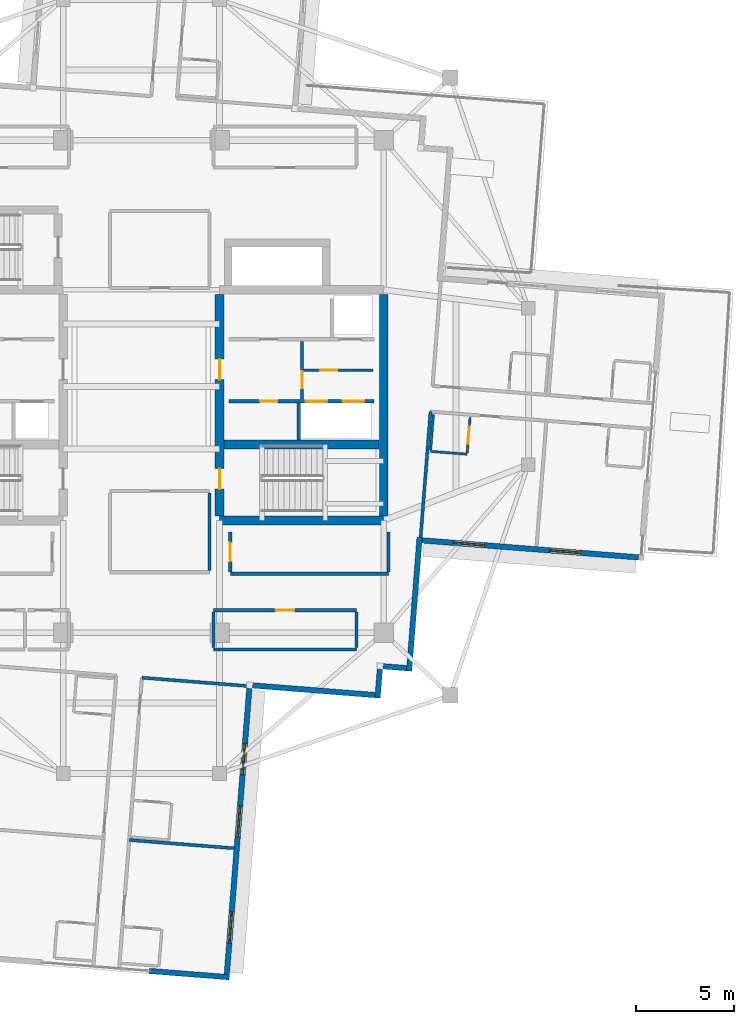
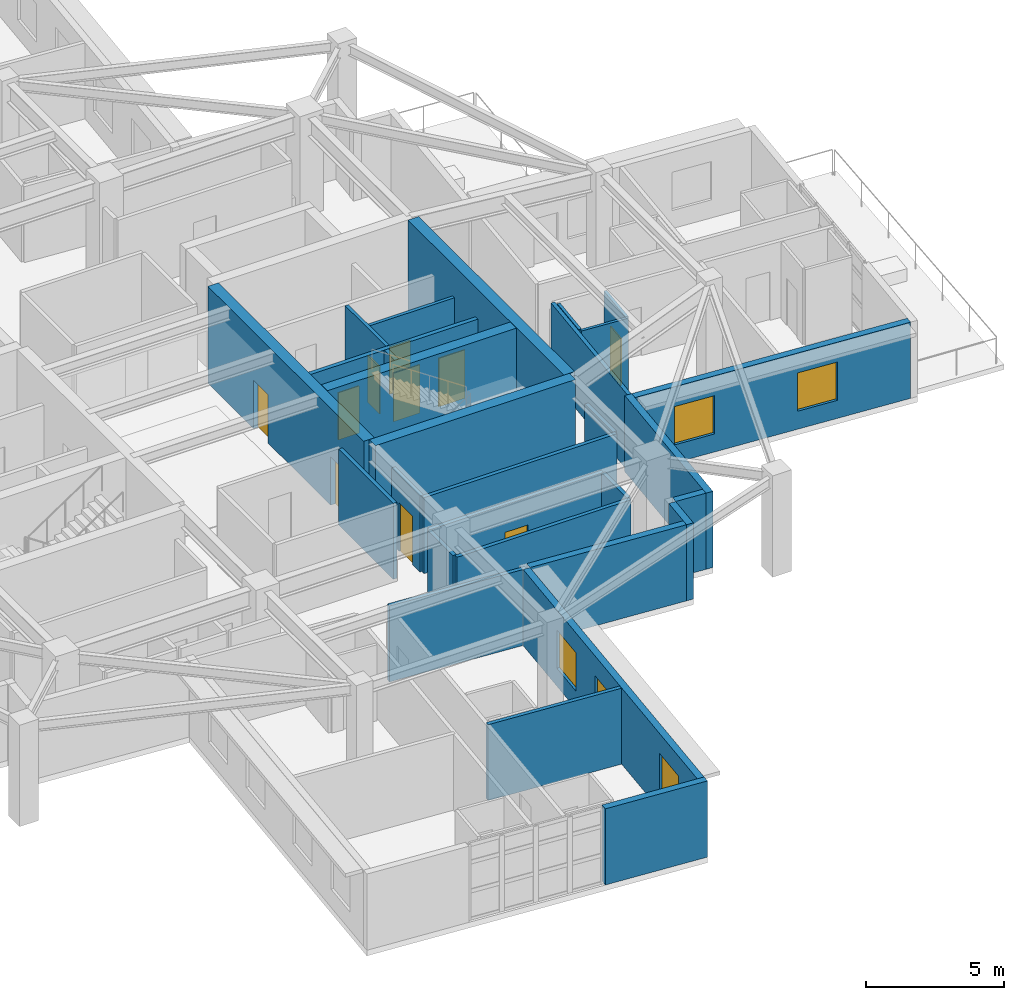
# One storey, part 15 of 23: 29 walls, 10 doors, 5 windows, 15 openings.
"""IFC4 building model written with IfcOpenShell, lengths in metres."""

from ifc_helpers import new_model, si_unit, direction, frame, frame_2d, origin, place, context, subcontext, project, spatial, rectangle, extrude, material, layer, layer_set, type_object, element, fill, save


model = new_model("IFC4")

# Units and contexts
model_context = context("Model", 3, precision=1e-05, world=origin(), true_north=direction((0.0, 1.0)))
body_context = subcontext(model_context, "Body", "Model", "MODEL_VIEW")
ifc_project = project(units=[si_unit("LENGTHUNIT", "METRE"), si_unit("AREAUNIT", "SQUARE_METRE"), si_unit("VOLUMEUNIT", "CUBIC_METRE"), si_unit("PLANEANGLEUNIT", "RADIAN"), si_unit("MASSUNIT", "GRAM", prefix="KILO")], contexts=[model_context])

# Site, building, storey
site_placement = place(None, origin())
site = spatial("IfcSite", under=ifc_project, at=site_placement, CompositionType="ELEMENT")
building_placement = place(site_placement, origin())
building = spatial("IfcBuilding", under=site, at=building_placement, Name="Qingluan Cross Belvedere", CompositionType="ELEMENT")
storey_placement = place(building_placement, frame((0.0, 0.0, 245.39990234375)))
storey = spatial("IfcBuildingStorey", under=building, at=storey_placement, Name="L61", CompositionType="ELEMENT", Elevation=245.39990234375)

# Wall
ifc_material_1 = material(Name="Concrete C50", Category="concrete")
ifc_layer_1 = layer(ifc_material_1, 0.449951171875, Name="CoreShearWall_450")
ifc_layer_set_1 = layer_set([ifc_layer_1], Name="Concrete C50")
wall_type_1 = type_object("IfcWallType", Name="CoreShearWall_450", PredefinedType="SHEAR", material=ifc_layer_set_1)
wall_1_placement = place(storey_placement, frame((4.0, -6.85009765625, 0.0), z_axis=(0.0, 0.0, 1.0), x_axis=(1.0, 0.0, 0.0)))
element("IfcWall", 1, at=wall_1_placement, inside=storey, type_object=wall_type_1, Name="Split core E shear wall L61-S", PredefinedType="SHEAR", context=body_context, shape_type="SweptSolid", body=[
    extrude(rectangle(XDim=8.39990234375, YDim=0.449951171875, at=frame_2d((4.199951171875, 0.0))), origin(), (0.0, 0.0, 1.0), 4.300048828125),
])

# Wall, openings, doors
wall_2_placement = place(storey_placement, frame((4.0, -6.6201171875, 0.0), z_axis=(0.0, 0.0, 1.0), x_axis=(0.0, 1.0, 0.0)))
wall_2 = element("IfcWall", 2, at=wall_2_placement, inside=storey, type_object=wall_type_1, Name="Split core E shear wall L61-W", PredefinedType="SHEAR", context=body_context, shape_type="SweptSolid", body=[
    extrude(rectangle(XDim=11.340087890625, YDim=0.449951171875, at=frame_2d((5.669921875, 0.0))), origin(), (0.0, 0.0, 1.0), 4.300048828125),
])
opening_1_placement = place(wall_2_placement, frame((1.3701171875, 0.0, 0.0)))
opening_1 = element("IfcOpeningElement", 3, at=opening_1_placement, cuts=wall_2, Name="Opening FD-B11", PredefinedType="OPENING", context=body_context, shape_type="SweptSolid", body=[
    extrude(rectangle(XDim=1.050048828125, YDim=2.14990234375, at=frame_2d((0.52490234375, 1.074951171875))), frame((0.0, 0.23486328125, 0.0), z_axis=(0.0, -1.0, 0.0), x_axis=(1.0, 0.0, 0.0)), (0.0, 0.0, 1.0), 0.469970703125),
])
opening_2_placement = place(wall_2_placement, frame((6.969970703125, 0.0, 0.0)))
opening_2 = element("IfcOpeningElement", 4, at=opening_2_placement, cuts=wall_2, Name="Opening FD-B11", PredefinedType="OPENING", context=body_context, shape_type="SweptSolid", body=[
    extrude(rectangle(XDim=1.050048828125, YDim=2.14990234375, at=frame_2d((0.52490234375, 1.074951171875))), frame((0.0, 0.23486328125, 0.0), z_axis=(0.0, -1.0, 0.0), x_axis=(1.0, 0.0, 0.0)), (0.0, 0.0, 1.0), 0.469970703125),
])
ifc_material_2 = material(Name="Steel Class B smoke-seal fire door", Category="steel")
door_type_1 = type_object("IfcDoorType", Name="StairLobbyFireDoor_FDB", OperationType="NOTDEFINED", PredefinedType="DOOR", material=ifc_material_2)
door_1_placement = place(opening_1_placement, origin())
door_1 = element("IfcDoor", 5, at=door_1_placement, inside=storey, type_object=door_type_1, Name="Smoke-proof stair ST2 fire door L61", OperationType="SINGLE_SWING_RIGHT", OverallHeight=2.14990234375, OverallWidth=1.050048828125, PredefinedType="DOOR", context=body_context, shape_type="SweptSolid", body=[
    extrude(rectangle(XDim=1.050048828125, YDim=2.14990234375, at=frame_2d((0.52490234375, 1.074951171875))), frame((0.0, 0.02490234375, 0.0), z_axis=(0.0, -1.0, 0.0), x_axis=(1.0, 0.0, 0.0)), (0.0, 0.0, 1.0), 0.050048828125),
])
fill(opening_1, door_1)
door_2_placement = place(opening_2_placement, origin())
door_2 = element("IfcDoor", 6, at=door_2_placement, inside=storey, type_object=door_type_1, Name="Firefighting lobby East fire door L61", OperationType="SINGLE_SWING_RIGHT", OverallHeight=2.14990234375, OverallWidth=1.050048828125, PredefinedType="DOOR", context=body_context, shape_type="SweptSolid", body=[
    extrude(rectangle(XDim=1.050048828125, YDim=2.14990234375, at=frame_2d((0.52490234375, 1.074951171875))), frame((0.0, 0.02490234375, 0.0), z_axis=(0.0, -1.0, 0.0), x_axis=(1.0, 0.0, 0.0)), (0.0, 0.0, 1.0), 0.050048828125),
])
fill(opening_2, door_2)

# Walls
wall_3_placement = place(storey_placement, frame((12.39990234375, -6.6201171875, 0.0), z_axis=(0.0, 0.0, 1.0), x_axis=(0.0, 1.0, 0.0)))
element("IfcWall", 7, at=wall_3_placement, inside=storey, type_object=wall_type_1, Name="Split core E shear wall L61-E", PredefinedType="SHEAR", context=body_context, shape_type="SweptSolid", body=[
    extrude(rectangle(XDim=11.340087890625, YDim=0.449951171875, at=frame_2d((5.669921875, 0.0))), origin(), (0.0, 0.0, 1.0), 4.300048828125),
])
wall_4_placement = place(storey_placement, frame((4.22998046875, -2.9599609375, 0.0), z_axis=(0.0, 0.0, 1.0), x_axis=(1.0, 0.0, 0.0)))
element("IfcWall", 8, at=wall_4_placement, inside=storey, type_object=wall_type_1, Name="Split core E shear wall L61-M", PredefinedType="SHEAR", context=body_context, shape_type="SweptSolid", body=[
    extrude(rectangle(XDim=7.93994140625, YDim=0.449951171875, at=frame_2d((3.969970703125, 0.0))), origin(), (0.0, 0.0, 1.0), 4.300048828125),
])

# Wall, opening, door
ifc_material_3 = material(Name="Gypsum plasterboard on steel stud acoustic partition", Category="steel")
ifc_layer_2 = layer(ifc_material_3, 0.159912109375, Name="CorridorPartition_160")
ifc_layer_set_2 = layer_set([ifc_layer_2], Name="Gypsum plasterboard on steel stud acoustic partition")
wall_type_2 = type_object("IfcWallType", Name="CorridorPartition_160", PredefinedType="PARTITIONING", material=ifc_layer_set_2)
wall_5_placement = place(storey_placement, frame((8.298095703125, 0.830078125, 0.0), z_axis=(0.0, 0.0, 1.0), x_axis=(1.0, 0.0, 0.0)))
wall_5 = element("IfcWall", 9, at=wall_5_placement, inside=storey, type_object=wall_type_2, Name="Partition L61:e", PredefinedType="PARTITIONING", context=body_context, shape_type="SweptSolid", body=[
    extrude(rectangle(XDim=3.552001953125, YDim=0.139892578125, at=frame_2d((1.77587890625, 0.0))), origin(), (0.0, 0.0, 1.0), 3.3701171875),
])
opening_3_placement = place(wall_5_placement, frame((0.85009765625, 0.0, 0.0)))
opening_3 = element("IfcOpeningElement", 10, at=opening_3_placement, cuts=wall_5, Name="Opening FD-B10", PredefinedType="OPENING", context=body_context, shape_type="SweptSolid", body=[
    extrude(rectangle(XDim=0.8798828125, YDim=2.10009765625, at=frame_2d((0.43994140625, 1.050048828125))), frame((0.0, 0.079833984375, 0.0), z_axis=(0.0, -1.0, 0.0), x_axis=(1.0, 0.0, 0.0)), (0.0, 0.0, 1.0), 0.159912109375),
])
ifc_material_4 = material(Name="Steel Class B service fire door", Category="steel")
door_type_2 = type_object("IfcDoorType", Name="RiserServiceFireDoor_FDB", OperationType="NOTDEFINED", PredefinedType="DOOR", material=ifc_material_4)
door_3_placement = place(opening_3_placement, origin())
door_3 = element("IfcDoor", 11, at=door_3_placement, inside=storey, type_object=door_type_2, Name="Service closet inner door L61", OperationType="SINGLE_SWING_LEFT", OverallHeight=2.10009765625, OverallWidth=0.8798828125, PredefinedType="DOOR", context=body_context, shape_type="SweptSolid", body=[
    extrude(rectangle(XDim=0.8798828125, YDim=2.10009765625, at=frame_2d((0.43994140625, 1.050048828125))), frame((0.0, 0.02490234375, 0.0), z_axis=(0.0, -1.0, 0.0), x_axis=(1.0, 0.0, 0.0)), (0.0, 0.0, 1.0), 0.050048828125),
])
fill(opening_3, door_3)

# Wall
wall_6_placement = place(storey_placement, frame((3.699951171875, -13.449951171875, 0.0), z_axis=(0.0, 0.0, 1.0), x_axis=(1.0, 0.0, 0.0)))
element("IfcWall", 12, at=wall_6_placement, inside=storey, type_object=wall_type_2, Name="Partition L61:q_se:S", PredefinedType="PARTITIONING", context=body_context, shape_type="SweptSolid", body=[
    extrude(rectangle(XDim=7.300048828125, YDim=0.159912109375, at=frame_2d((3.64990234375, 0.0))), origin(), (0.0, 0.0, 1.0), 3.3701171875),
])

# Wall, opening, door
wall_7_placement = place(storey_placement, frame((3.699951171875, -11.449951171875, 0.0), z_axis=(0.0, 0.0, 1.0), x_axis=(1.0, 0.0, 0.0)))
wall_7 = element("IfcWall", 13, at=wall_7_placement, inside=storey, type_object=wall_type_2, Name="Partition L61:q_se:N", PredefinedType="PARTITIONING", context=body_context, shape_type="SweptSolid", body=[
    extrude(rectangle(XDim=7.300048828125, YDim=0.159912109375, at=frame_2d((3.64990234375, 0.0))), origin(), (0.0, 0.0, 1.0), 3.3701171875),
])
opening_4_placement = place(wall_7_placement, frame((3.169921875, 0.0, 0.0)))
opening_4 = element("IfcOpeningElement", 14, at=opening_4_placement, cuts=wall_7, Name="Opening GD-10", PredefinedType="OPENING", context=body_context, shape_type="SweptSolid", body=[
    extrude(rectangle(XDim=0.9599609375, YDim=2.14990234375, at=frame_2d((0.47998046875, 1.074951171875))), frame((0.0, 0.08984375, 0.0), z_axis=(0.0, -1.0, 0.0), x_axis=(1.0, 0.0, 0.0)), (0.0, 0.0, 1.0), 0.179931640625),
])
ifc_material_5 = material(Name="Timber oak fire-rated acoustic guestroom door", Category="wood")
door_type_3 = type_object("IfcDoorType", Name="GuestEntryDoor_FD60", OperationType="NOTDEFINED", PredefinedType="DOOR", material=ifc_material_5)
door_4_placement = place(opening_4_placement, origin())
door_4 = element("IfcDoor", 15, at=door_4_placement, inside=storey, type_object=door_type_3, Name="Sky conservatory lounge L61 door", OperationType="SINGLE_SWING_RIGHT", OverallHeight=2.14990234375, OverallWidth=0.9599609375, PredefinedType="DOOR", context=body_context, shape_type="SweptSolid", body=[
    extrude(rectangle(XDim=0.9599609375, YDim=2.14990234375, at=frame_2d((0.47998046875, 1.074951171875))), frame((0.0, 0.02490234375, 0.0), z_axis=(0.0, -1.0, 0.0), x_axis=(1.0, 0.0, 0.0)), (0.0, 0.0, 1.0), 0.050048828125),
])
fill(opening_4, door_4)

# Walls
for number, where, z_axis, x_axis, name in (
    (16, (3.699951171875, -13.364990234375, 0.0), (0.0, 0.0, 1.0), (0.0, 1.0, 0.0), "Partition L61:q_se:W"),
    (17, (11.0, -13.364990234375, 0.0), (0.0, 0.0, 1.0), (0.0, 1.0, 0.0), "Partition L61:q_se:E"),
):
    element("IfcWall", number, at=place(storey_placement, frame(where, z_axis=z_axis, x_axis=x_axis)), inside=storey, type_object=wall_type_2, Name=name, PredefinedType="PARTITIONING", context=body_context, shape_type="SweptSolid", body=[
        extrude(rectangle(XDim=1.830078125, YDim=0.159912109375, at=frame_2d((0.9150390625, 0.0))), origin(), (0.0, 0.0, 1.0), 3.3701171875),
    ])
wall_8_placement = place(storey_placement, frame((3.47998046875, -9.4150390625, 0.0), z_axis=(0.0, 0.0, 1.0), x_axis=(0.0, 1.0, 0.0)))
element("IfcWall", 18, at=wall_8_placement, inside=storey, type_object=wall_type_2, Name="Partition L61:sky_south_alcove:E", PredefinedType="PARTITIONING", context=body_context, shape_type="SweptSolid", body=[
    extrude(rectangle(XDim=3.97998046875, YDim=0.159912109375, at=frame_2d((1.989990234375, 0.0))), origin(), (0.0, 0.0, 1.0), 3.3701171875),
])
wall_9_placement = place(storey_placement, frame((4.550048828125, -9.580078125, 0.0), z_axis=(0.0, 0.0, 1.0), x_axis=(1.0, 0.0, 0.0)))
element("IfcWall", 19, at=wall_9_placement, inside=storey, type_object=wall_type_2, Name="Partition L61:rec_st4:S", PredefinedType="PARTITIONING", context=body_context, shape_type="SweptSolid", body=[
    extrude(rectangle(XDim=8.099853515625, YDim=0.159912109375, at=frame_2d((4.0498046875, 0.0))), origin(), (0.0, 0.0, 1.0), 3.3701171875),
])

# Wall, opening, door
wall_10_placement = place(storey_placement, frame((4.550048828125, -9.4951171875, 0.0), z_axis=(0.0, 0.0, 1.0), x_axis=(0.0, 1.0, 0.0)))
wall_10 = element("IfcWall", 20, at=wall_10_placement, inside=storey, type_object=wall_type_2, Name="Partition L61:rec_st4:W", PredefinedType="PARTITIONING", context=body_context, shape_type="SweptSolid", body=[
    extrude(rectangle(XDim=2.06005859375, YDim=0.159912109375, at=frame_2d((1.030029296875, 0.0))), origin(), (0.0, 0.0, 1.0), 3.3701171875),
])
opening_5_placement = place(wall_10_placement, frame((0.550048828125, 0.0, 0.0)))
opening_5 = element("IfcOpeningElement", 21, at=opening_5_placement, cuts=wall_10, Name="Opening GD-10", PredefinedType="OPENING", context=body_context, shape_type="SweptSolid", body=[
    extrude(rectangle(XDim=0.9599609375, YDim=2.14990234375, at=frame_2d((0.47998046875, 1.074951171875))), frame((0.0, 0.08984375, 0.0), z_axis=(0.0, -1.0, 0.0), x_axis=(1.0, 0.0, 0.0)), (0.0, 0.0, 1.0), 0.179931640625),
])
door_5_placement = place(opening_5_placement, origin())
door_5 = element("IfcDoor", 22, at=door_5_placement, inside=storey, type_object=door_type_3, Name="Southeast club library room L61 door", OperationType="SINGLE_SWING_RIGHT", OverallHeight=2.14990234375, OverallWidth=0.9599609375, PredefinedType="DOOR", context=body_context, shape_type="SweptSolid", body=[
    extrude(rectangle(XDim=0.9599609375, YDim=2.14990234375, at=frame_2d((0.47998046875, 1.074951171875))), frame((0.0, 0.02490234375, 0.0), z_axis=(0.0, -1.0, 0.0), x_axis=(1.0, 0.0, 0.0)), (0.0, 0.0, 1.0), 0.050048828125),
])
fill(opening_5, door_5)

# Walls
wall_11_placement = place(storey_placement, frame((12.64990234375, -9.4951171875, 0.0), z_axis=(0.0, 0.0, 1.0), x_axis=(0.0, 1.0, 0.0)))
element("IfcWall", 23, at=wall_11_placement, inside=storey, type_object=wall_type_2, Name="Partition L61:rec_st4:E", PredefinedType="PARTITIONING", context=body_context, shape_type="SweptSolid", body=[
    extrude(rectangle(XDim=2.06005859375, YDim=0.159912109375, at=frame_2d((1.030029296875, 0.0))), origin(), (0.0, 0.0, 1.0), 3.3701171875),
])
wall_12_placement = place(storey_placement, frame((14.794921875, -1.28466796875, 0.0), z_axis=(0.0, 0.0, 1.0), x_axis=(-0.078478832769, -0.996915780198, 0.0)))
element("IfcWall", 24, at=wall_12_placement, inside=storey, type_object=wall_type_2, Name="Partition L61:E:s1", PredefinedType="PARTITIONING", context=body_context, shape_type="SweptSolid", body=[
    extrude(rectangle(XDim=6.4521484375, YDim=0.159912109375, at=frame_2d((3.22607421875, 0.0))), origin(), (0.0, 0.0, 1.0), 3.3701171875),
])
wall_13_placement = place(storey_placement, frame((0.03125, -14.8984375, 0.0), z_axis=(0.0, 0.0, 1.0), x_axis=(0.996917113956, -0.078461888206, 0.0)))
element("IfcWall", 25, at=wall_13_placement, inside=storey, type_object=wall_type_2, Name="Partition L61:S:s0", PredefinedType="PARTITIONING", context=body_context, shape_type="SweptSolid", body=[
    extrude(rectangle(XDim=5.52001953125, YDim=0.159912109375, at=frame_2d((2.760009765625, 0.0))), origin(), (0.0, 0.0, 1.0), 3.3701171875),
])
wall_14_placement = place(storey_placement, frame((-0.62255859375, -23.20361328125, 0.0), z_axis=(0.0, 0.0, 1.0), x_axis=(0.996915202822, -0.078486166816, 0.0)))
element("IfcWall", 26, at=wall_14_placement, inside=storey, type_object=wall_type_2, Name="Partition L61:S:d0_0", PredefinedType="PARTITIONING", context=body_context, shape_type="SweptSolid", body=[
    extrude(rectangle(XDim=5.3720703125, YDim=0.159912109375, at=frame_2d((2.68603515625, 0.0))), origin(), (0.0, 0.0, 1.0), 3.3701171875),
])

# Wall, opening, door
ifc_material_6 = material(Name="Moisture-resistant gypsum board lining")
ifc_layer_3 = layer(ifc_material_6, 0.1201171875, Name="EnsuiteWetPartition_120")
ifc_layer_set_3 = layer_set([ifc_layer_3], Name="Moisture-resistant gypsum board lining")
wall_type_3 = type_object("IfcWallType", Name="EnsuiteWetPartition_120", PredefinedType="PARTITIONING", material=ifc_layer_set_3)
wall_15_placement = place(storey_placement, frame((16.6748046875, -3.398681640625, 0.0), z_axis=(0.0, 0.0, 1.0), x_axis=(0.078348112001, 0.996926062126, 0.0)))
wall_15 = element("IfcWall", 27, at=wall_15_placement, inside=storey, type_object=wall_type_3, Name="Partition L61:E:bs1_0", PredefinedType="PARTITIONING", context=body_context, shape_type="SweptSolid", body=[
    extrude(rectangle(XDim=1.81982421875, YDim=0.1201171875, at=frame_2d((0.909912109375, 0.0))), origin(), (0.0, 0.0, 1.0), 3.3701171875),
])
opening_6_placement = place(wall_15_placement, frame((0.469970703125, 0.0, 0.0)))
opening_6 = element("IfcOpeningElement", 28, at=opening_6_placement, cuts=wall_15, Name="Opening BD-09", PredefinedType="OPENING", context=body_context, shape_type="SweptSolid", body=[
    extrude(rectangle(XDim=0.8798828125, YDim=2.10009765625, at=frame_2d((0.43994140625, 1.050048828125))), frame((0.0, 0.070068359375, 0.0), z_axis=(0.0, -1.0, 0.0), x_axis=(1.0, 0.0, 0.0)), (0.0, 0.0, 1.0), 0.14013671875),
])
ifc_material_7 = material(Name="Moisture-sealed timber en-suite door", Category="wood")
door_type_4 = type_object("IfcDoorType", Name="BathroomDoor_880", OperationType="NOTDEFINED", PredefinedType="DOOR", material=ifc_material_7)
door_6_placement = place(opening_6_placement, origin())
door_6 = element("IfcDoor", 29, at=door_6_placement, inside=storey, type_object=door_type_4, Name="Bathroom door 6103", OperationType="SINGLE_SWING_LEFT", OverallHeight=2.10009765625, OverallWidth=0.8798828125, PredefinedType="DOOR", context=body_context, shape_type="SweptSolid", body=[
    extrude(rectangle(XDim=0.8798828125, YDim=2.10009765625, at=frame_2d((0.43994140625, 1.050048828125))), frame((0.0, 0.02490234375, 0.0), z_axis=(0.0, -1.0, 0.0), x_axis=(1.0, 0.0, 0.0)), (0.0, 0.0, 1.0), 0.050048828125),
])
fill(opening_6, door_6)

# Walls
wall_16_placement = place(storey_placement, frame((14.800537109375, -3.251220703125, 0.0), z_axis=(0.0, 0.0, 1.0), x_axis=(0.078481444107, 0.996915574626, 0.0)))
element("IfcWall", 30, at=wall_16_placement, inside=storey, type_object=wall_type_3, Name="Partition L61:E:bw1_0", PredefinedType="PARTITIONING", context=body_context, shape_type="SweptSolid", body=[
    extrude(rectangle(XDim=1.81982421875, YDim=0.1201171875, at=frame_2d((0.909912109375, 0.0))), origin(), (0.0, 0.0, 1.0), 3.3701171875),
])
wall_17_placement = place(storey_placement, frame((14.79541015625, -3.316162109375, 0.0), z_axis=(0.0, 0.0, 1.0), x_axis=(0.996919293781, -0.07843418698, 0.0)))
element("IfcWall", 31, at=wall_17_placement, inside=storey, type_object=wall_type_3, Name="Partition L61:E:bc1_0", PredefinedType="PARTITIONING", context=body_context, shape_type="SweptSolid", body=[
    extrude(rectangle(XDim=1.880126953125, YDim=0.1201171875, at=frame_2d((0.93994140625, 0.0))), origin(), (0.0, 0.0, 1.0), 3.3701171875),
])

# Wall, openings, windows
ifc_material_8 = material(Name="Precast concrete C45", Category="concrete")
ifc_layer_4 = layer(ifc_material_8, 0.280029296875, Name="PrecastFacadeWall_280")
ifc_layer_set_4 = layer_set([ifc_layer_4], Name="Precast concrete C45")
wall_type_4 = type_object("IfcWallType", Name="PrecastFacadeWall_280", PredefinedType="STANDARD", material=ifc_layer_set_4)
wall_18_placement = place(storey_placement, frame((14.36669921875, -7.87158203125, 0.0), z_axis=(0.0, 0.0, 1.0), x_axis=(0.996917735529, -0.078453990262, 0.0)))
wall_18 = element("IfcWall", 32, at=wall_18_placement, inside=storey, type_object=wall_type_4, Name="Facade wall L61-EA", PredefinedType="STANDARD", context=body_context, shape_type="SweptSolid", body=[
    extrude(rectangle(XDim=11.10009765625, YDim=0.280029296875, at=frame_2d((5.550048828125, 0.0))), origin(), (0.0, 0.0, 1.0), 3.380126953125),
])
opening_7_placement = place(wall_18_placement, frame((1.60009765625, 0.0, 0.800048828125)))
opening_7 = element("IfcOpeningElement", 33, at=opening_7_placement, cuts=wall_18, Name="Opening W-04", PredefinedType="OPENING", context=body_context, shape_type="SweptSolid", body=[
    extrude(rectangle(XDim=1.60009765625, YDim=1.699951171875, at=frame_2d((0.800048828125, 0.85009765625))), frame((0.0, 0.14990234375, 0.0), z_axis=(0.0, -1.0, 0.0), x_axis=(1.0, 0.0, 0.0)), (0.0, 0.0, 1.0), 0.300048828125),
])
opening_8_placement = place(wall_18_placement, frame((6.550048828125, 0.0, 0.800048828125)))
opening_8 = element("IfcOpeningElement", 34, at=opening_8_placement, cuts=wall_18, Name="Opening W-04", PredefinedType="OPENING", context=body_context, shape_type="SweptSolid", body=[
    extrude(rectangle(XDim=1.60009765625, YDim=1.699951171875, at=frame_2d((0.800048828125, 0.85009765625))), frame((0.0, 0.14990234375, 0.0), z_axis=(0.0, -1.0, 0.0), x_axis=(1.0, 0.0, 0.0)), (0.0, 0.0, 1.0), 0.300048828125),
])
ifc_material_9 = material(Name="Thermally broken triple Low-E glass in aluminium frame", Category="aluminium")
window_type = type_object("IfcWindowType", Name="SuiteCornerWin_1600x1700", PartitioningType="SINGLE_PANEL", PredefinedType="WINDOW", material=ifc_material_9)
window_1_placement = place(opening_7_placement, origin())
window_1 = element("IfcWindow", 35, at=window_1_placement, inside=storey, type_object=window_type, Name="Ribbon window L61-EA-1", OverallHeight=1.699951171875, OverallWidth=1.60009765625, PartitioningType="SINGLE_PANEL", PredefinedType="WINDOW", context=body_context, shape_type="SweptSolid", body=[
    extrude(rectangle(XDim=1.60009765625, YDim=1.699951171875, at=frame_2d((0.800048828125, 0.85009765625))), frame((0.0, 0.030029296875, 0.0), z_axis=(0.0, -1.0, 0.0), x_axis=(1.0, 0.0, 0.0)), (0.0, 0.0, 1.0), 0.06005859375),
])
fill(opening_7, window_1)
window_2_placement = place(opening_8_placement, origin())
window_2 = element("IfcWindow", 36, at=window_2_placement, inside=storey, type_object=window_type, Name="Ribbon window L61-EA-2", OverallHeight=1.699951171875, OverallWidth=1.60009765625, PartitioningType="SINGLE_PANEL", PredefinedType="WINDOW", context=body_context, shape_type="SweptSolid", body=[
    extrude(rectangle(XDim=1.60009765625, YDim=1.699951171875, at=frame_2d((0.800048828125, 0.85009765625))), frame((0.0, 0.030029296875, 0.0), z_axis=(0.0, -1.0, 0.0), x_axis=(1.0, 0.0, 0.0)), (0.0, 0.0, 1.0), 0.06005859375),
])
fill(opening_8, window_2)

wall_19_placement = place(storey_placement, frame((4.373779296875, -30.075927734375, 0.0), z_axis=(0.0, 0.0, 1.0), x_axis=(0.078456642068, 0.996917526837, 0.0)))
wall_19 = element("IfcWall", 37, at=wall_19_placement, inside=storey, type_object=wall_type_4, Name="Facade wall L61-SB", PredefinedType="STANDARD", context=body_context, shape_type="SweptSolid", body=[
    extrude(rectangle(XDim=14.7001953125, YDim=0.280029296875, at=frame_2d((7.35009765625, 0.0))), origin(), (0.0, 0.0, 1.0), 3.380126953125),
])
opening_9_placement = place(wall_19_placement, frame((1.60009765625, 0.0, 0.800048828125)))
opening_9 = element("IfcOpeningElement", 38, at=opening_9_placement, cuts=wall_19, Name="Opening W-04", PredefinedType="OPENING", context=body_context, shape_type="SweptSolid", body=[
    extrude(rectangle(XDim=1.60009765625, YDim=1.699951171875, at=frame_2d((0.800048828125, 0.85009765625))), frame((0.0, 0.14990234375, 0.0), z_axis=(0.0, -1.0, 0.0), x_axis=(1.0, 0.0, 0.0)), (0.0, 0.0, 1.0), 0.300048828125),
])
opening_10_placement = place(wall_19_placement, frame((7.050048828125, 0.0, 0.800048828125)))
opening_10 = element("IfcOpeningElement", 39, at=opening_10_placement, cuts=wall_19, Name="Opening W-04", PredefinedType="OPENING", context=body_context, shape_type="SweptSolid", body=[
    extrude(rectangle(XDim=1.60009765625, YDim=1.699951171875, at=frame_2d((0.800048828125, 0.85009765625))), frame((0.0, 0.14990234375, 0.0), z_axis=(0.0, -1.0, 0.0), x_axis=(1.0, 0.0, 0.0)), (0.0, 0.0, 1.0), 0.300048828125),
])
opening_11_placement = place(wall_19_placement, frame((10.25, 0.0, 0.800048828125)))
opening_11 = element("IfcOpeningElement", 40, at=opening_11_placement, cuts=wall_19, Name="Opening W-04", PredefinedType="OPENING", context=body_context, shape_type="SweptSolid", body=[
    extrude(rectangle(XDim=1.60009765625, YDim=1.699951171875, at=frame_2d((0.800048828125, 0.85009765625))), frame((0.0, 0.14990234375, 0.0), z_axis=(0.0, -1.0, 0.0), x_axis=(1.0, 0.0, 0.0)), (0.0, 0.0, 1.0), 0.300048828125),
])
window_3_placement = place(opening_9_placement, origin())
window_3 = element("IfcWindow", 41, at=window_3_placement, inside=storey, type_object=window_type, Name="Ribbon window L61-SB-1", OverallHeight=1.699951171875, OverallWidth=1.60009765625, PartitioningType="SINGLE_PANEL", PredefinedType="WINDOW", context=body_context, shape_type="SweptSolid", body=[
    extrude(rectangle(XDim=1.60009765625, YDim=1.699951171875, at=frame_2d((0.800048828125, 0.85009765625))), frame((0.0, 0.030029296875, 0.0), z_axis=(0.0, -1.0, 0.0), x_axis=(1.0, 0.0, 0.0)), (0.0, 0.0, 1.0), 0.06005859375),
])
fill(opening_9, window_3)
window_4_placement = place(opening_10_placement, origin())
window_4 = element("IfcWindow", 42, at=window_4_placement, inside=storey, type_object=window_type, Name="Ribbon window L61-SB-2", OverallHeight=1.699951171875, OverallWidth=1.60009765625, PartitioningType="SINGLE_PANEL", PredefinedType="WINDOW", context=body_context, shape_type="SweptSolid", body=[
    extrude(rectangle(XDim=1.60009765625, YDim=1.699951171875, at=frame_2d((0.800048828125, 0.85009765625))), frame((0.0, 0.030029296875, 0.0), z_axis=(0.0, -1.0, 0.0), x_axis=(1.0, 0.0, 0.0)), (0.0, 0.0, 1.0), 0.06005859375),
])
fill(opening_10, window_4)
window_5_placement = place(opening_11_placement, origin())
window_5 = element("IfcWindow", 43, at=window_5_placement, inside=storey, type_object=window_type, Name="Ribbon window L61-SB-3", OverallHeight=1.699951171875, OverallWidth=1.60009765625, PartitioningType="SINGLE_PANEL", PredefinedType="WINDOW", context=body_context, shape_type="SweptSolid", body=[
    extrude(rectangle(XDim=1.60009765625, YDim=1.699951171875, at=frame_2d((0.800048828125, 0.85009765625))), frame((0.0, 0.030029296875, 0.0), z_axis=(0.0, -1.0, 0.0), x_axis=(1.0, 0.0, 0.0)), (0.0, 0.0, 1.0), 0.06005859375),
])
fill(opening_11, window_5)

# Walls
wall_20_placement = place(storey_placement, frame((0.39892578125, -29.903564453125, 0.0), z_axis=(0.0, 0.0, 1.0), x_axis=(0.996920764105, -0.078415496528, 0.0)))
element("IfcWall", 44, at=wall_20_placement, inside=storey, type_object=wall_type_4, Name="Terrace portal jamb wall L61-S2", PredefinedType="STANDARD", context=body_context, shape_type="SweptSolid", body=[
    extrude(rectangle(XDim=4.115966796875, YDim=0.280029296875, at=frame_2d((2.05810546875, 0.0))), origin(), (0.0, 0.0, 1.0), 3.380126953125),
])
wall_21_placement = place(storey_placement, frame((14.238037109375, -7.720947265625, 0.0), z_axis=(0.0, 0.0, 1.0), x_axis=(-0.078438149236, -0.996918982036, 0.0)))
element("IfcWall", 45, at=wall_21_placement, inside=storey, type_object=wall_type_4, Name="Corner wall L61-SE1", PredefinedType="STANDARD", context=body_context, shape_type="SweptSolid", body=[
    extrude(rectangle(XDim=6.860107421875, YDim=0.280029296875, at=frame_2d((3.43017578125, 0.0))), origin(), (0.0, 0.0, 1.0), 3.380126953125),
])
wall_22_placement = place(storey_placement, frame((13.5712890625, -14.4091796875, 0.0), z_axis=(0.0, 0.0, 1.0), x_axis=(-0.996918772, 0.078440818672, 0.0)))
element("IfcWall", 46, at=wall_22_placement, inside=storey, type_object=wall_type_4, Name="Corner wall L61-SE2", PredefinedType="STANDARD", context=body_context, shape_type="SweptSolid", body=[
    extrude(rectangle(XDim=1.219970703125, YDim=0.280029296875, at=frame_2d((0.60986328125, 0.0))), origin(), (0.0, 0.0, 1.0), 3.380126953125),
])
wall_23_placement = place(storey_placement, frame((12.20458984375, -14.442138671875, 0.0), z_axis=(0.0, 0.0, 1.0), x_axis=(-0.078451338629, -0.9969179442, 0.0)))
element("IfcWall", 47, at=wall_23_placement, inside=storey, type_object=wall_type_4, Name="Corner wall L61-SE3", PredefinedType="STANDARD", context=body_context, shape_type="SweptSolid", body=[
    extrude(rectangle(XDim=1.5, YDim=0.280029296875, at=frame_2d((0.75, 0.0))), origin(), (0.0, 0.0, 1.0), 3.380126953125),
])
wall_24_placement = place(storey_placement, frame((11.958251953125, -15.786865234375, 0.0), z_axis=(0.0, 0.0, 1.0), x_axis=(-0.996916125428, 0.078474447191, 0.0)))
element("IfcWall", 48, at=wall_24_placement, inside=storey, type_object=wall_type_4, Name="Corner wall L61-SE4", PredefinedType="STANDARD", context=body_context, shape_type="SweptSolid", body=[
    extrude(rectangle(XDim=6.300048828125, YDim=0.280029296875, at=frame_2d((3.14990234375, 0.0))), origin(), (0.0, 0.0, 1.0), 3.380126953125),
])

# Wall, openings, doors
ifc_material_10 = material(Name="Concrete C40", Category="concrete")
ifc_layer_5 = layer(ifc_material_10, 0.219970703125, Name="ShaftEnclosureWall_250")
ifc_layer_set_5 = layer_set([ifc_layer_5], Name="Concrete C40")
wall_type_5 = type_object("IfcWallType", Name="ShaftEnclosureWall_250", PredefinedType="SOLIDWALL", material=ifc_layer_set_5)
wall_25_placement = place(storey_placement, frame((4.47998046875, -0.75, 0.0), z_axis=(0.0, 0.0, 1.0), x_axis=(1.0, 0.0, 0.0)))
wall_25 = element("IfcWall", 49, at=wall_25_placement, inside=storey, type_object=wall_type_5, Name="Core-E mid hoistway wall L61", PredefinedType="SOLIDWALL", context=body_context, shape_type="SweptSolid", body=[
    extrude(rectangle(XDim=7.419921875, YDim=0.179931640625, at=frame_2d((3.7099609375, 0.0))), origin(), (0.0, 0.0, 1.0), 3.3701171875),
])
opening_12_placement = place(wall_25_placement, frame((3.919921875, 0.0, 0.0)))
opening_12 = element("IfcOpeningElement", 50, at=opening_12_placement, cuts=wall_25, Name="Opening LD-11", PredefinedType="OPENING", context=body_context, shape_type="SweptSolid", body=[
    extrude(rectangle(XDim=1.10009765625, YDim=2.14990234375, at=frame_2d((0.550048828125, 1.074951171875))), frame((0.0, 0.099853515625, 0.0), z_axis=(0.0, -1.0, 0.0), x_axis=(1.0, 0.0, 0.0)), (0.0, 0.0, 1.0), 0.199951171875),
])
opening_13_placement = place(wall_25_placement, frame((5.820068359375, 0.0, 0.0)))
opening_13 = element("IfcOpeningElement", 51, at=opening_13_placement, cuts=wall_25, Name="Opening LD-11", PredefinedType="OPENING", context=body_context, shape_type="SweptSolid", body=[
    extrude(rectangle(XDim=1.10009765625, YDim=2.14990234375, at=frame_2d((0.550048828125, 1.074951171875))), frame((0.0, 0.099853515625, 0.0), z_axis=(0.0, -1.0, 0.0), x_axis=(1.0, 0.0, 0.0)), (0.0, 0.0, 1.0), 0.199951171875),
])
opening_14_placement = place(wall_25_placement, frame((1.60009765625, 0.0, 0.0)))
opening_14 = element("IfcOpeningElement", 52, at=opening_14_placement, cuts=wall_25, Name="Opening FD-B10", PredefinedType="OPENING", context=body_context, shape_type="SweptSolid", body=[
    extrude(rectangle(XDim=0.8798828125, YDim=2.10009765625, at=frame_2d((0.43994140625, 1.050048828125))), frame((0.0, 0.099853515625, 0.0), z_axis=(0.0, -1.0, 0.0), x_axis=(1.0, 0.0, 0.0)), (0.0, 0.0, 1.0), 0.199951171875),
])
ifc_material_11 = material(Name="Brushed stainless steel centre-opening lift landing door", Category="steel")
door_type_5 = type_object("IfcDoorType", Name="LiftLandingSlidingDoor_1100", OperationType="DOUBLE_DOOR_SLIDING", PredefinedType="DOOR", material=ifc_material_11)
door_7_placement = place(opening_12_placement, origin())
door_7 = element("IfcDoor", 53, at=door_7_placement, inside=storey, type_object=door_type_5, Name="Lift landing sliding door LP9 L61", OperationType="DOUBLE_DOOR_SLIDING", OverallHeight=2.14990234375, OverallWidth=1.10009765625, PredefinedType="DOOR", context=body_context, shape_type="SweptSolid", body=[
    extrude(rectangle(XDim=1.10009765625, YDim=2.14990234375, at=frame_2d((0.550048828125, 1.074951171875))), frame((0.0, 0.02490234375, 0.0), z_axis=(0.0, -1.0, 0.0), x_axis=(1.0, 0.0, 0.0)), (0.0, 0.0, 1.0), 0.050048828125),
])
fill(opening_12, door_7)
door_8_placement = place(opening_13_placement, origin())
door_8 = element("IfcDoor", 54, at=door_8_placement, inside=storey, type_object=door_type_5, Name="Lift landing sliding door LP10 L61", OperationType="DOUBLE_DOOR_SLIDING", OverallHeight=2.14990234375, OverallWidth=1.10009765625, PredefinedType="DOOR", context=body_context, shape_type="SweptSolid", body=[
    extrude(rectangle(XDim=1.10009765625, YDim=2.14990234375, at=frame_2d((0.550048828125, 1.074951171875))), frame((0.0, 0.02490234375, 0.0), z_axis=(0.0, -1.0, 0.0), x_axis=(1.0, 0.0, 0.0)), (0.0, 0.0, 1.0), 0.050048828125),
])
fill(opening_13, door_8)
door_9_placement = place(opening_14_placement, origin())
door_9 = element("IfcDoor", 55, at=door_9_placement, inside=storey, type_object=door_type_2, Name="Upper-zone linen store door L61", OperationType="SINGLE_SWING_LEFT", OverallHeight=2.10009765625, OverallWidth=0.8798828125, PredefinedType="DOOR", context=body_context, shape_type="SweptSolid", body=[
    extrude(rectangle(XDim=0.8798828125, YDim=2.10009765625, at=frame_2d((0.43994140625, 1.050048828125))), frame((0.0, 0.02490234375, 0.0), z_axis=(0.0, -1.0, 0.0), x_axis=(1.0, 0.0, 0.0)), (0.0, 0.0, 1.0), 0.050048828125),
])
fill(opening_14, door_9)

# Wall
wall_26_placement = place(storey_placement, frame((8.06005859375, -2.72998046875, 0.0), z_axis=(0.0, 0.0, 1.0), x_axis=(0.0, 1.0, 0.0)))
element("IfcWall", 56, at=wall_26_placement, inside=storey, type_object=wall_type_5, Name="Hoistway enclosure divider LP9W L61", PredefinedType="SOLIDWALL", context=body_context, shape_type="SweptSolid", body=[
    extrude(rectangle(XDim=1.889892578125, YDim=0.179931640625, at=frame_2d((0.94482421875, 0.0))), origin(), (0.0, 0.0, 1.0), 3.3701171875),
])

# Wall, opening, door
wall_27_placement = place(storey_placement, frame((8.219970703125, -0.64990234375, 0.0), z_axis=(0.0, 0.0, 1.0), x_axis=(0.0, 1.0, 0.0)))
wall_27 = element("IfcWall", 57, at=wall_27_placement, inside=storey, type_object=wall_type_5, Name="Core-E service corridor wall L61", PredefinedType="SOLIDWALL", context=body_context, shape_type="SweptSolid", body=[
    extrude(rectangle(XDim=2.9599609375, YDim=0.139892578125, at=frame_2d((1.47998046875, 0.0))), origin(), (0.0, 0.0, 1.0), 3.3701171875),
])
opening_15_placement = place(wall_27_placement, frame((0.550048828125, 0.0, 0.0)))
opening_15 = element("IfcOpeningElement", 58, at=opening_15_placement, cuts=wall_27, Name="Opening FD-B10", PredefinedType="OPENING", context=body_context, shape_type="SweptSolid", body=[
    extrude(rectangle(XDim=0.8798828125, YDim=2.10009765625, at=frame_2d((0.43994140625, 1.050048828125))), frame((0.0, 0.079833984375, 0.0), z_axis=(0.0, -1.0, 0.0), x_axis=(1.0, 0.0, 0.0)), (0.0, 0.0, 1.0), 0.159912109375),
])
door_10_placement = place(opening_15_placement, origin())
door_10 = element("IfcDoor", 59, at=door_10_placement, inside=storey, type_object=door_type_2, Name="Core-E service room door L61", OperationType="SINGLE_SWING_LEFT", OverallHeight=2.10009765625, OverallWidth=0.8798828125, PredefinedType="DOOR", context=body_context, shape_type="SweptSolid", body=[
    extrude(rectangle(XDim=0.8798828125, YDim=2.10009765625, at=frame_2d((0.43994140625, 1.050048828125))), frame((0.0, 0.02490234375, 0.0), z_axis=(0.0, -1.0, 0.0), x_axis=(1.0, 0.0, 0.0)), (0.0, 0.0, 1.0), 0.050048828125),
])
fill(opening_15, door_10)

save(model, "model.ifc")
